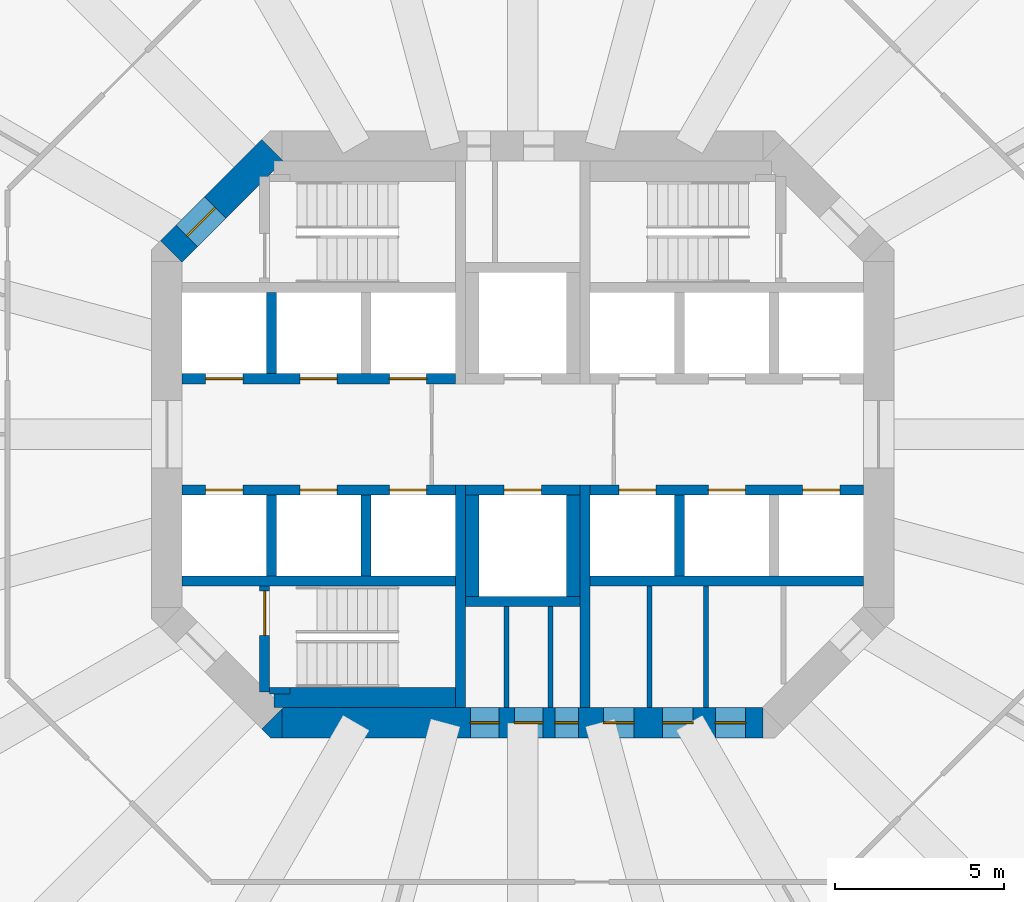
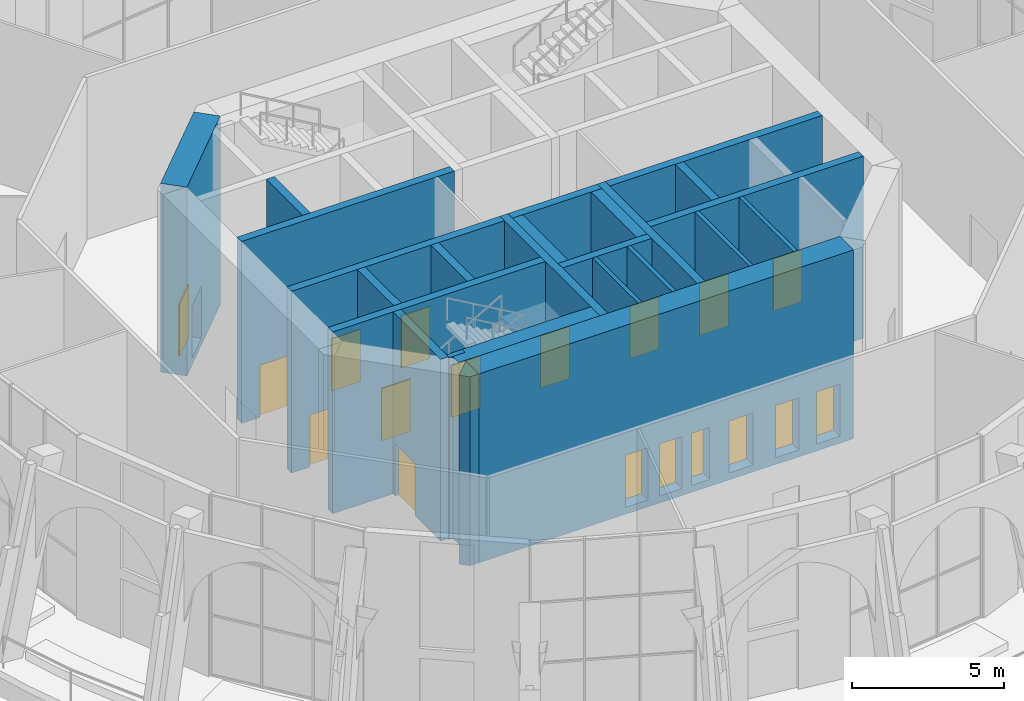
# One storey, part 12 of 18: 25 walls, 18 doors, 18 openings.
"""IFC4 building model written with IfcOpenShell, lengths in metres."""

from ifc_helpers import new_model, si_unit, direction, frame, frame_2d, origin, place, context, subcontext, project, spatial, polyline, rectangle, outline, extrude, material, layer, layer_set, type_object, element, fill, save


model = new_model("IFC4")

# Units and contexts
model_context = context("Model", 3, precision=1e-05, world=origin(), true_north=direction((0.0, 1.0)))
body_context = subcontext(model_context, "Body", "Model", "MODEL_VIEW")
ifc_project = project(units=[si_unit("LENGTHUNIT", "METRE"), si_unit("AREAUNIT", "SQUARE_METRE"), si_unit("VOLUMEUNIT", "CUBIC_METRE"), si_unit("PLANEANGLEUNIT", "RADIAN"), si_unit("MASSUNIT", "GRAM", prefix="KILO")], contexts=[model_context])

# Site, building, storey
site_placement = place(None, origin())
site = spatial("IfcSite", under=ifc_project, at=site_placement, CompositionType="ELEMENT")
building_placement = place(site_placement, origin())
building = spatial("IfcBuilding", under=site, at=building_placement, Name="Torre Triforio", CompositionType="ELEMENT")
storey_placement = place(building_placement, frame((0.0, 0.0, 146.60009765625)))
storey = spatial("IfcBuildingStorey", under=building, at=storey_placement, Name="L33", CompositionType="ELEMENT", Elevation=146.60009765625)

# Walls
ifc_material_1 = material(Name="Concrete C60", Category="concrete")
ifc_layer_1 = layer(ifc_material_1, 0.300048828125)
ifc_layer_set_1 = layer_set([ifc_layer_1], Name="Concrete C60")
wall_type_1 = type_object("IfcWallType", Name="Core wall 300 mm C60 EI 120", PredefinedType="SHEAR", material=ifc_layer_set_1)
for number, where, z_axis, x_axis, name in (
    (1, (-1.85009765625, -8.10009765625, 0.0), (0.0, 0.0, 1.0), (0.0, 1.0, 0.0), "Core wall"),
    (2, (1.85009765625, -8.10009765625, 0.0), (0.0, 0.0, 1.0), (0.0, 1.0, 0.0), "Core wall"),
):
    element("IfcWall", number, at=place(storey_placement, frame(where, z_axis=z_axis, x_axis=x_axis)), inside=storey, type_object=wall_type_1, Name=name, PredefinedType="SHEAR", context=body_context, shape_type="SweptSolid", body=[
        extrude(rectangle(XDim=6.60009765625, YDim=0.300048828125, at=frame_2d((3.300048828125, 0.0))), origin(), (0.0, 0.0, 1.0), 7.31982421875),
    ])

# Wall, openings, doors
ifc_layer_2 = layer(ifc_material_1, 0.89990234375)
ifc_layer_set_2 = layer_set([ifc_layer_2], Name="Concrete C60")
wall_type_2 = type_object("IfcWallType", Name="Core wall 900 mm C60 EI 120", PredefinedType="SHEAR", material=ifc_layer_set_2)
wall_1_placement = place(storey_placement, frame((-7.1298828125, -8.550048828125, -0.280029296875), z_axis=(0.0, 0.0, 1.0), x_axis=(1.0, 0.0, 0.0)))
wall_1 = element("IfcWall", 3, at=wall_1_placement, inside=storey, type_object=wall_type_2, Name="Core wall", PredefinedType="SHEAR", context=body_context, shape_type="SweptSolid", body=[
    extrude(rectangle(XDim=14.259765625, YDim=0.89990234375, at=frame_2d((7.1298828125, 0.0))), origin(), (0.0, 0.0, 1.0), 7.599853515625),
])
opening_1_placement = place(wall_1_placement, frame((8.080078125, 0.0, 0.280029296875)))
opening_1 = element("IfcOpeningElement", 4, at=opening_1_placement, cuts=wall_1, Name="Opening RISER-S", PredefinedType="OPENING", context=body_context, shape_type="SweptSolid", body=[
    extrude(rectangle(XDim=0.699951171875, YDim=2.10009765625, at=frame_2d((0.35009765625, 1.050048828125))), frame((0.0, 0.4599609375, 0.0), z_axis=(0.0, -1.0, 0.0), x_axis=(1.0, 0.0, 0.0)), (0.0, 0.0, 1.0), 0.919921875),
])
opening_2_placement = place(wall_1_placement, frame((5.580078125, 0.0, 0.280029296875)))
opening_2 = element("IfcOpeningElement", 5, at=opening_2_placement, cuts=wall_1, Name="Opening SW-01A", PredefinedType="OPENING", context=body_context, shape_type="SweptSolid", body=[
    extrude(rectangle(XDim=0.85009765625, YDim=2.10009765625, at=frame_2d((0.425048828125, 1.050048828125))), frame((0.0, 0.4599609375, 0.0), z_axis=(0.0, -1.0, 0.0), x_axis=(1.0, 0.0, 0.0)), (0.0, 0.0, 1.0), 0.919921875),
])
opening_3_placement = place(wall_1_placement, frame((6.8798828125, 0.0, 0.280029296875)))
opening_3 = element("IfcOpeningElement", 6, at=opening_3_placement, cuts=wall_1, Name="Opening SW-02", PredefinedType="OPENING", context=body_context, shape_type="SweptSolid", body=[
    extrude(rectangle(XDim=0.85009765625, YDim=2.10009765625, at=frame_2d((0.425048828125, 1.050048828125))), frame((0.0, 0.4599609375, 0.0), z_axis=(0.0, -1.0, 0.0), x_axis=(1.0, 0.0, 0.0)), (0.0, 0.0, 1.0), 0.919921875),
])
opening_4_placement = place(wall_1_placement, frame((9.521484375, 0.0, 0.280029296875)))
opening_4 = element("IfcOpeningElement", 7, at=opening_4_placement, cuts=wall_1, Name="Opening SE-01", PredefinedType="OPENING", context=body_context, shape_type="SweptSolid", body=[
    extrude(rectangle(XDim=0.89990234375, YDim=2.10009765625, at=frame_2d((0.449951171875, 1.050048828125))), frame((0.0, 0.4599609375, 0.0), z_axis=(0.0, -1.0, 0.0), x_axis=(1.0, 0.0, 0.0)), (0.0, 0.0, 1.0), 0.919921875),
])
opening_5_placement = place(wall_1_placement, frame((11.278076171875, 0.0, 0.280029296875)))
opening_5 = element("IfcOpeningElement", 8, at=opening_5_placement, cuts=wall_1, Name="Opening SE-02", PredefinedType="OPENING", context=body_context, shape_type="SweptSolid", body=[
    extrude(rectangle(XDim=0.89990234375, YDim=2.10009765625, at=frame_2d((0.449951171875, 1.050048828125))), frame((0.0, 0.4599609375, 0.0), z_axis=(0.0, -1.0, 0.0), x_axis=(1.0, 0.0, 0.0)), (0.0, 0.0, 1.0), 0.919921875),
])
opening_6_placement = place(wall_1_placement, frame((12.840087890625, 0.0, 0.280029296875)))
opening_6 = element("IfcOpeningElement", 9, at=opening_6_placement, cuts=wall_1, Name="Opening SE-03", PredefinedType="OPENING", context=body_context, shape_type="SweptSolid", body=[
    extrude(rectangle(XDim=0.89990234375, YDim=2.10009765625, at=frame_2d((0.449951171875, 1.050048828125))), frame((0.0, 0.4599609375, 0.0), z_axis=(0.0, -1.0, 0.0), x_axis=(1.0, 0.0, 0.0)), (0.0, 0.0, 1.0), 0.919921875),
])
ifc_material_2 = material(Name="Hollow metal fire door leaf")
door_type_1 = type_object("IfcDoorType", Name="Plant room door 900 x 2100 EI 60", OperationType="NOTDEFINED", PredefinedType="DOOR", material=ifc_material_2)
door_1_placement = place(opening_4_placement, origin())
door_1 = element("IfcDoor", 10, at=door_1_placement, inside=storey, type_object=door_type_1, Name="Core door SE-01", OperationType="SINGLE_SWING_RIGHT", OverallHeight=2.10009765625, OverallWidth=0.89990234375, PredefinedType="DOOR", context=body_context, shape_type="SweptSolid", body=[
    extrude(rectangle(XDim=0.89990234375, YDim=2.10009765625, at=frame_2d((0.449951171875, 1.050048828125))), frame((0.0, 0.02490234375, 0.0), z_axis=(0.0, -1.0, 0.0), x_axis=(1.0, 0.0, 0.0)), (0.0, 0.0, 1.0), 0.050048828125),
])
fill(opening_4, door_1)
door_type_2 = type_object("IfcDoorType", Name="Riser door 700 x 2100 EI 60", OperationType="NOTDEFINED", PredefinedType="DOOR", material=ifc_material_2)
door_2_placement = place(opening_1_placement, origin())
door_2 = element("IfcDoor", 11, at=door_2_placement, inside=storey, type_object=door_type_2, Name="Core door RISER-S", OperationType="SINGLE_SWING_RIGHT", OverallHeight=2.10009765625, OverallWidth=0.699951171875, PredefinedType="DOOR", context=body_context, shape_type="SweptSolid", body=[
    extrude(rectangle(XDim=0.699951171875, YDim=2.10009765625, at=frame_2d((0.35009765625, 1.050048828125))), frame((0.0, 0.02490234375, 0.0), z_axis=(0.0, -1.0, 0.0), x_axis=(1.0, 0.0, 0.0)), (0.0, 0.0, 1.0), 0.050048828125),
])
fill(opening_1, door_2)
door_type_3 = type_object("IfcDoorType", Name="Room door 850 x 2100 EI 60", OperationType="NOTDEFINED", PredefinedType="DOOR", material=ifc_material_2)
door_3_placement = place(opening_2_placement, origin())
door_3 = element("IfcDoor", 12, at=door_3_placement, inside=storey, type_object=door_type_3, Name="Core door SW-01", OperationType="SINGLE_SWING_RIGHT", OverallHeight=2.10009765625, OverallWidth=0.85009765625, PredefinedType="DOOR", context=body_context, shape_type="SweptSolid", body=[
    extrude(rectangle(XDim=0.85009765625, YDim=2.10009765625, at=frame_2d((0.425048828125, 1.050048828125))), frame((0.0, 0.02490234375, 0.0), z_axis=(0.0, -1.0, 0.0), x_axis=(1.0, 0.0, 0.0)), (0.0, 0.0, 1.0), 0.050048828125),
])
fill(opening_2, door_3)
door_4_placement = place(opening_3_placement, origin())
door_4 = element("IfcDoor", 13, at=door_4_placement, inside=storey, type_object=door_type_3, Name="Core door SW-02", OperationType="SINGLE_SWING_RIGHT", OverallHeight=2.10009765625, OverallWidth=0.85009765625, PredefinedType="DOOR", context=body_context, shape_type="SweptSolid", body=[
    extrude(rectangle(XDim=0.85009765625, YDim=2.10009765625, at=frame_2d((0.425048828125, 1.050048828125))), frame((0.0, 0.02490234375, 0.0), z_axis=(0.0, -1.0, 0.0), x_axis=(1.0, 0.0, 0.0)), (0.0, 0.0, 1.0), 0.050048828125),
])
fill(opening_3, door_4)
door_type_4 = type_object("IfcDoorType", Name="Room door 900 x 2100 EI 60", OperationType="NOTDEFINED", PredefinedType="DOOR", material=ifc_material_2)
door_5_placement = place(opening_5_placement, origin())
door_5 = element("IfcDoor", 14, at=door_5_placement, inside=storey, type_object=door_type_4, Name="Core door SE-02", OperationType="SINGLE_SWING_RIGHT", OverallHeight=2.10009765625, OverallWidth=0.89990234375, PredefinedType="DOOR", context=body_context, shape_type="SweptSolid", body=[
    extrude(rectangle(XDim=0.89990234375, YDim=2.10009765625, at=frame_2d((0.449951171875, 1.050048828125))), frame((0.0, 0.02490234375, 0.0), z_axis=(0.0, -1.0, 0.0), x_axis=(1.0, 0.0, 0.0)), (0.0, 0.0, 1.0), 0.050048828125),
])
fill(opening_5, door_5)
door_6_placement = place(opening_6_placement, origin())
door_6 = element("IfcDoor", 15, at=door_6_placement, inside=storey, type_object=door_type_4, Name="Core door SE-03", OperationType="SINGLE_SWING_RIGHT", OverallHeight=2.10009765625, OverallWidth=0.89990234375, PredefinedType="DOOR", context=body_context, shape_type="SweptSolid", body=[
    extrude(rectangle(XDim=0.89990234375, YDim=2.10009765625, at=frame_2d((0.449951171875, 1.050048828125))), frame((0.0, 0.02490234375, 0.0), z_axis=(0.0, -1.0, 0.0), x_axis=(1.0, 0.0, 0.0)), (0.0, 0.0, 1.0), 0.050048828125),
])
fill(opening_6, door_6)

# Wall, opening, door
wall_2_placement = place(storey_placement, frame((-10.418212890625, 5.418212890625, -0.280029296875), z_axis=(0.0, 0.0, 1.0), x_axis=(0.707106781187, 0.707106781187, 0.0)))
wall_2 = element("IfcWall", 16, at=wall_2_placement, inside=storey, type_object=wall_type_2, Name="Core wall", PredefinedType="SHEAR", context=body_context, shape_type="SweptSolid", body=[
    extrude(rectangle(XDim=4.24267578125, YDim=0.89990234375, at=frame_2d((2.121337890625, 0.0))), origin(), (0.0, 0.0, 1.0), 7.599853515625),
])
opening_7_placement = place(wall_2_placement, frame((0.64990234375, 0.0, 0.280029296875)))
opening_7 = element("IfcOpeningElement", 17, at=opening_7_placement, cuts=wall_2, Name="Opening ST1-EXIT", PredefinedType="OPENING", context=body_context, shape_type="SweptSolid", body=[
    extrude(rectangle(XDim=1.199951171875, YDim=2.10009765625, at=frame_2d((0.60009765625, 1.050048828125))), frame((0.0, 0.4599609375, 0.0), z_axis=(0.0, -1.0, 0.0), x_axis=(1.0, 0.0, 0.0)), (0.0, 0.0, 1.0), 0.919921875),
])
door_type_5 = type_object("IfcDoorType", Name="Stair lobby door 1200 x 2100 EI 60", OperationType="NOTDEFINED", PredefinedType="DOOR", material=ifc_material_2)
door_7_placement = place(opening_7_placement, origin())
door_7 = element("IfcDoor", 18, at=door_7_placement, inside=storey, type_object=door_type_5, Name="Core door ST1-EXIT", OperationType="SINGLE_SWING_LEFT", OverallHeight=2.10009765625, OverallWidth=1.199951171875, PredefinedType="DOOR", context=body_context, shape_type="SweptSolid", body=[
    extrude(rectangle(XDim=1.199951171875, YDim=2.10009765625, at=frame_2d((0.60009765625, 1.050048828125))), frame((0.0, 0.02490234375, 0.0), z_axis=(0.0, -1.0, 0.0), x_axis=(1.0, 0.0, 0.0)), (0.0, 0.0, 1.0), 0.050048828125),
])
fill(opening_7, door_7)

# Walls
wall_3_placement = place(storey_placement, frame((0.0, 0.0, -0.280029296875)))
element("IfcWall", 19, at=wall_3_placement, inside=storey, type_object=wall_type_2, Name="Core wall", PredefinedType="SHEAR", context=body_context, shape_type="SweptSolid", body=[
    extrude(outline(polyline([(-7.472900390625, -9.0), (-7.736328125, -8.736328125), (-7.1298828125, -8.1298828125), (-7.1298828125, -9.0), (-7.472900390625, -9.0)])), origin(), (0.0, 0.0, 1.0), 7.599853515625),
])
ifc_material_3 = material(Name="Block and board partition")
ifc_layer_3 = layer(ifc_material_3, 0.14990234375)
ifc_layer_set_3 = layer_set([ifc_layer_3], Name="Block and board partition")
wall_type_3 = type_object("IfcWallType", Name="Partition 150 mm", PredefinedType="PARTITIONING", material=ifc_layer_set_3)
wall_4_placement = place(storey_placement, frame((-0.47509765625, -8.10009765625, 0.0), z_axis=(0.0, 0.0, 1.0), x_axis=(0.0, 1.0, 0.0)))
element("IfcWall", 20, at=wall_4_placement, inside=storey, type_object=wall_type_3, Name="Partition", PredefinedType="PARTITIONING", context=body_context, shape_type="SweptSolid", body=[
    extrude(rectangle(XDim=3.0, YDim=0.14990234375, at=frame_2d((1.5, 0.0))), origin(), (0.0, 0.0, 1.0), 7.31982421875),
])
for number, where, z_axis, x_axis, name in (
    (21, (3.758056640625, -8.10009765625, 0.0), (0.0, 0.0, 1.0), (0.0, 1.0, 0.0), "Partition"),
    (22, (5.43798828125, -8.10009765625, 0.0), (0.0, 0.0, 1.0), (0.0, 1.0, 0.0), "Partition"),
):
    element("IfcWall", number, at=place(storey_placement, frame(where, z_axis=z_axis, x_axis=x_axis)), inside=storey, type_object=wall_type_3, Name=name, PredefinedType="PARTITIONING", context=body_context, shape_type="SweptSolid", body=[
        extrude(rectangle(XDim=3.60009765625, YDim=0.14990234375, at=frame_2d((1.800048828125, 0.0))), origin(), (0.0, 0.0, 1.0), 7.31982421875),
    ])
ifc_layer_4 = layer(ifc_material_3, 0.14990234375)
ifc_layer_set_4 = layer_set([ifc_layer_4], Name="Block and board partition")
wall_type_4 = type_object("IfcWallType", Name="Partition 150 mm EI 120", PredefinedType="PARTITIONING", material=ifc_layer_set_4)
wall_5_placement = place(storey_placement, frame((0.824951171875, -8.10009765625, 0.0), z_axis=(0.0, 0.0, 1.0), x_axis=(0.0, 1.0, 0.0)))
element("IfcWall", 23, at=wall_5_placement, inside=storey, type_object=wall_type_4, Name="Partition", PredefinedType="PARTITIONING", context=body_context, shape_type="SweptSolid", body=[
    extrude(rectangle(XDim=3.0, YDim=0.14990234375, at=frame_2d((1.5, 0.0))), origin(), (0.0, 0.0, 1.0), 7.31982421875),
])
ifc_layer_5 = layer(ifc_material_1, 0.300048828125)
ifc_layer_set_5 = layer_set([ifc_layer_5], Name="Concrete C60")
wall_type_5 = type_object("IfcWallType", Name="Shaft wall 300 mm C60 EI 120", PredefinedType="SOLIDWALL", material=ifc_layer_set_5)
for number, where, z_axis, x_axis, name in (
    (24, (-10.10009765625, -4.35009765625, 0.0), (0.0, 0.0, 1.0), (1.0, 0.0, 0.0), "Shaft wall"),
    (25, (2.0, -4.35009765625, 0.0), (0.0, 0.0, 1.0), (1.0, 0.0, 0.0), "Shaft wall"),
):
    element("IfcWall", number, at=place(storey_placement, frame(where, z_axis=z_axis, x_axis=x_axis)), inside=storey, type_object=wall_type_5, Name=name, PredefinedType="SOLIDWALL", context=body_context, shape_type="SweptSolid", body=[
        extrude(rectangle(XDim=8.10009765625, YDim=0.300048828125, at=frame_2d((4.050048828125, 0.0))), origin(), (0.0, 0.0, 1.0), 7.31982421875),
    ])

# Wall, openings, doors
wall_6_placement = place(storey_placement, frame((-10.10009765625, 1.64990234375, 0.0), z_axis=(0.0, 0.0, 1.0), x_axis=(1.0, 0.0, 0.0)))
wall_6 = element("IfcWall", 26, at=wall_6_placement, inside=storey, type_object=wall_type_5, Name="Shaft wall", PredefinedType="SOLIDWALL", context=body_context, shape_type="SweptSolid", body=[
    extrude(rectangle(XDim=8.10009765625, YDim=0.300048828125, at=frame_2d((4.050048828125, 0.0))), origin(), (0.0, 0.0, 1.0), 7.31982421875),
])
opening_8_placement = place(wall_6_placement, frame((0.699951171875, 0.0, 0.0)))
opening_8 = element("IfcOpeningElement", 27, at=opening_8_placement, cuts=wall_6, Name="Opening LD", PredefinedType="OPENING", context=body_context, shape_type="SweptSolid", body=[
    extrude(rectangle(XDim=1.10009765625, YDim=2.10009765625, at=frame_2d((0.550048828125, 1.050048828125))), frame((0.0, 0.159912109375, 0.0), z_axis=(0.0, -1.0, 0.0), x_axis=(1.0, 0.0, 0.0)), (0.0, 0.0, 1.0), 0.320068359375),
])
opening_9_placement = place(wall_6_placement, frame((3.5, 0.0, 0.0)))
opening_9 = element("IfcOpeningElement", 28, at=opening_9_placement, cuts=wall_6, Name="Opening LD", PredefinedType="OPENING", context=body_context, shape_type="SweptSolid", body=[
    extrude(rectangle(XDim=1.10009765625, YDim=2.10009765625, at=frame_2d((0.550048828125, 1.050048828125))), frame((0.0, 0.159912109375, 0.0), z_axis=(0.0, -1.0, 0.0), x_axis=(1.0, 0.0, 0.0)), (0.0, 0.0, 1.0), 0.320068359375),
])
opening_10_placement = place(wall_6_placement, frame((6.14990234375, 0.0, 0.0)))
opening_10 = element("IfcOpeningElement", 29, at=opening_10_placement, cuts=wall_6, Name="Opening LD", PredefinedType="OPENING", context=body_context, shape_type="SweptSolid", body=[
    extrude(rectangle(XDim=1.10009765625, YDim=2.10009765625, at=frame_2d((0.550048828125, 1.050048828125))), frame((0.0, 0.159912109375, 0.0), z_axis=(0.0, -1.0, 0.0), x_axis=(1.0, 0.0, 0.0)), (0.0, 0.0, 1.0), 0.320068359375),
])
door_type_6 = type_object("IfcDoorType", Name="Landing door 1100 x 2100 EI 60", OperationType="DOUBLE_DOOR_SLIDING", PredefinedType="DOOR", material=ifc_material_2)
door_8_placement = place(opening_8_placement, origin())
door_8 = element("IfcDoor", 30, at=door_8_placement, inside=storey, type_object=door_type_6, Name="Landing door LR1", OperationType="DOUBLE_DOOR_SLIDING", OverallHeight=2.10009765625, OverallWidth=1.10009765625, PredefinedType="DOOR", context=body_context, shape_type="SweptSolid", body=[
    extrude(rectangle(XDim=1.10009765625, YDim=2.10009765625, at=frame_2d((0.550048828125, 1.050048828125))), frame((0.0, 0.02490234375, 0.0), z_axis=(0.0, -1.0, 0.0), x_axis=(1.0, 0.0, 0.0)), (0.0, 0.0, 1.0), 0.050048828125),
])
fill(opening_8, door_8)
door_9_placement = place(opening_9_placement, origin())
door_9 = element("IfcDoor", 31, at=door_9_placement, inside=storey, type_object=door_type_6, Name="Landing door LR2", OperationType="DOUBLE_DOOR_SLIDING", OverallHeight=2.10009765625, OverallWidth=1.10009765625, PredefinedType="DOOR", context=body_context, shape_type="SweptSolid", body=[
    extrude(rectangle(XDim=1.10009765625, YDim=2.10009765625, at=frame_2d((0.550048828125, 1.050048828125))), frame((0.0, 0.02490234375, 0.0), z_axis=(0.0, -1.0, 0.0), x_axis=(1.0, 0.0, 0.0)), (0.0, 0.0, 1.0), 0.050048828125),
])
fill(opening_9, door_9)
door_10_placement = place(opening_10_placement, origin())
door_10 = element("IfcDoor", 32, at=door_10_placement, inside=storey, type_object=door_type_6, Name="Landing door LR3", OperationType="DOUBLE_DOOR_SLIDING", OverallHeight=2.10009765625, OverallWidth=1.10009765625, PredefinedType="DOOR", context=body_context, shape_type="SweptSolid", body=[
    extrude(rectangle(XDim=1.10009765625, YDim=2.10009765625, at=frame_2d((0.550048828125, 1.050048828125))), frame((0.0, 0.02490234375, 0.0), z_axis=(0.0, -1.0, 0.0), x_axis=(1.0, 0.0, 0.0)), (0.0, 0.0, 1.0), 0.050048828125),
])
fill(opening_10, door_10)

wall_7_placement = place(storey_placement, frame((-10.10009765625, -1.64990234375, 0.0), z_axis=(0.0, 0.0, 1.0), x_axis=(1.0, 0.0, 0.0)))
wall_7 = element("IfcWall", 33, at=wall_7_placement, inside=storey, type_object=wall_type_5, Name="Shaft wall", PredefinedType="SOLIDWALL", context=body_context, shape_type="SweptSolid", body=[
    extrude(rectangle(XDim=8.10009765625, YDim=0.300048828125, at=frame_2d((4.050048828125, 0.0))), origin(), (0.0, 0.0, 1.0), 7.31982421875),
])
opening_11_placement = place(wall_7_placement, frame((0.699951171875, 0.0, 0.0)))
opening_11 = element("IfcOpeningElement", 34, at=opening_11_placement, cuts=wall_7, Name="Opening LD", PredefinedType="OPENING", context=body_context, shape_type="SweptSolid", body=[
    extrude(rectangle(XDim=1.10009765625, YDim=2.10009765625, at=frame_2d((0.550048828125, 1.050048828125))), frame((0.0, 0.159912109375, 0.0), z_axis=(0.0, -1.0, 0.0), x_axis=(1.0, 0.0, 0.0)), (0.0, 0.0, 1.0), 0.320068359375),
])
opening_12_placement = place(wall_7_placement, frame((3.5, 0.0, 0.0)))
opening_12 = element("IfcOpeningElement", 35, at=opening_12_placement, cuts=wall_7, Name="Opening LD", PredefinedType="OPENING", context=body_context, shape_type="SweptSolid", body=[
    extrude(rectangle(XDim=1.10009765625, YDim=2.10009765625, at=frame_2d((0.550048828125, 1.050048828125))), frame((0.0, 0.159912109375, 0.0), z_axis=(0.0, -1.0, 0.0), x_axis=(1.0, 0.0, 0.0)), (0.0, 0.0, 1.0), 0.320068359375),
])
opening_13_placement = place(wall_7_placement, frame((6.14990234375, 0.0, 0.0)))
opening_13 = element("IfcOpeningElement", 36, at=opening_13_placement, cuts=wall_7, Name="Opening LD", PredefinedType="OPENING", context=body_context, shape_type="SweptSolid", body=[
    extrude(rectangle(XDim=1.10009765625, YDim=2.10009765625, at=frame_2d((0.550048828125, 1.050048828125))), frame((0.0, 0.159912109375, 0.0), z_axis=(0.0, -1.0, 0.0), x_axis=(1.0, 0.0, 0.0)), (0.0, 0.0, 1.0), 0.320068359375),
])
door_11_placement = place(opening_11_placement, origin())
door_11 = element("IfcDoor", 37, at=door_11_placement, inside=storey, type_object=door_type_6, Name="Landing door LR4", OperationType="DOUBLE_DOOR_SLIDING", OverallHeight=2.10009765625, OverallWidth=1.10009765625, PredefinedType="DOOR", context=body_context, shape_type="SweptSolid", body=[
    extrude(rectangle(XDim=1.10009765625, YDim=2.10009765625, at=frame_2d((0.550048828125, 1.050048828125))), frame((0.0, 0.02490234375, 0.0), z_axis=(0.0, -1.0, 0.0), x_axis=(1.0, 0.0, 0.0)), (0.0, 0.0, 1.0), 0.050048828125),
])
fill(opening_11, door_11)
door_12_placement = place(opening_12_placement, origin())
door_12 = element("IfcDoor", 38, at=door_12_placement, inside=storey, type_object=door_type_6, Name="Landing door LR5", OperationType="DOUBLE_DOOR_SLIDING", OverallHeight=2.10009765625, OverallWidth=1.10009765625, PredefinedType="DOOR", context=body_context, shape_type="SweptSolid", body=[
    extrude(rectangle(XDim=1.10009765625, YDim=2.10009765625, at=frame_2d((0.550048828125, 1.050048828125))), frame((0.0, 0.02490234375, 0.0), z_axis=(0.0, -1.0, 0.0), x_axis=(1.0, 0.0, 0.0)), (0.0, 0.0, 1.0), 0.050048828125),
])
fill(opening_12, door_12)
door_13_placement = place(opening_13_placement, origin())
door_13 = element("IfcDoor", 39, at=door_13_placement, inside=storey, type_object=door_type_6, Name="Landing door LR6", OperationType="DOUBLE_DOOR_SLIDING", OverallHeight=2.10009765625, OverallWidth=1.10009765625, PredefinedType="DOOR", context=body_context, shape_type="SweptSolid", body=[
    extrude(rectangle(XDim=1.10009765625, YDim=2.10009765625, at=frame_2d((0.550048828125, 1.050048828125))), frame((0.0, 0.02490234375, 0.0), z_axis=(0.0, -1.0, 0.0), x_axis=(1.0, 0.0, 0.0)), (0.0, 0.0, 1.0), 0.050048828125),
])
fill(opening_13, door_13)

wall_8_placement = place(storey_placement, frame((2.0, -1.64990234375, 0.0), z_axis=(0.0, 0.0, 1.0), x_axis=(1.0, 0.0, 0.0)))
wall_8 = element("IfcWall", 40, at=wall_8_placement, inside=storey, type_object=wall_type_5, Name="Shaft wall", PredefinedType="SOLIDWALL", context=body_context, shape_type="SweptSolid", body=[
    extrude(rectangle(XDim=8.10009765625, YDim=0.300048828125, at=frame_2d((4.050048828125, 0.0))), origin(), (0.0, 0.0, 1.0), 7.31982421875),
])
opening_14_placement = place(wall_8_placement, frame((0.85009765625, 0.0, 0.0)))
opening_14 = element("IfcOpeningElement", 41, at=opening_14_placement, cuts=wall_8, Name="Opening LD", PredefinedType="OPENING", context=body_context, shape_type="SweptSolid", body=[
    extrude(rectangle(XDim=1.10009765625, YDim=2.10009765625, at=frame_2d((0.550048828125, 1.050048828125))), frame((0.0, 0.159912109375, 0.0), z_axis=(0.0, -1.0, 0.0), x_axis=(1.0, 0.0, 0.0)), (0.0, 0.0, 1.0), 0.320068359375),
])
opening_15_placement = place(wall_8_placement, frame((3.5, 0.0, 0.0)))
opening_15 = element("IfcOpeningElement", 42, at=opening_15_placement, cuts=wall_8, Name="Opening LD", PredefinedType="OPENING", context=body_context, shape_type="SweptSolid", body=[
    extrude(rectangle(XDim=1.10009765625, YDim=2.10009765625, at=frame_2d((0.550048828125, 1.050048828125))), frame((0.0, 0.159912109375, 0.0), z_axis=(0.0, -1.0, 0.0), x_axis=(1.0, 0.0, 0.0)), (0.0, 0.0, 1.0), 0.320068359375),
])
opening_16_placement = place(wall_8_placement, frame((6.300048828125, 0.0, 0.0)))
opening_16 = element("IfcOpeningElement", 43, at=opening_16_placement, cuts=wall_8, Name="Opening LD", PredefinedType="OPENING", context=body_context, shape_type="SweptSolid", body=[
    extrude(rectangle(XDim=1.10009765625, YDim=2.10009765625, at=frame_2d((0.550048828125, 1.050048828125))), frame((0.0, 0.159912109375, 0.0), z_axis=(0.0, -1.0, 0.0), x_axis=(1.0, 0.0, 0.0)), (0.0, 0.0, 1.0), 0.320068359375),
])
door_14_placement = place(opening_14_placement, origin())
door_14 = element("IfcDoor", 44, at=door_14_placement, inside=storey, type_object=door_type_6, Name="Landing door HR4", OperationType="DOUBLE_DOOR_SLIDING", OverallHeight=2.10009765625, OverallWidth=1.10009765625, PredefinedType="DOOR", context=body_context, shape_type="SweptSolid", body=[
    extrude(rectangle(XDim=1.10009765625, YDim=2.10009765625, at=frame_2d((0.550048828125, 1.050048828125))), frame((0.0, 0.02490234375, 0.0), z_axis=(0.0, -1.0, 0.0), x_axis=(1.0, 0.0, 0.0)), (0.0, 0.0, 1.0), 0.050048828125),
])
fill(opening_14, door_14)
door_15_placement = place(opening_15_placement, origin())
door_15 = element("IfcDoor", 45, at=door_15_placement, inside=storey, type_object=door_type_6, Name="Landing door HR5", OperationType="DOUBLE_DOOR_SLIDING", OverallHeight=2.10009765625, OverallWidth=1.10009765625, PredefinedType="DOOR", context=body_context, shape_type="SweptSolid", body=[
    extrude(rectangle(XDim=1.10009765625, YDim=2.10009765625, at=frame_2d((0.550048828125, 1.050048828125))), frame((0.0, 0.02490234375, 0.0), z_axis=(0.0, -1.0, 0.0), x_axis=(1.0, 0.0, 0.0)), (0.0, 0.0, 1.0), 0.050048828125),
])
fill(opening_15, door_15)
door_16_placement = place(opening_16_placement, origin())
door_16 = element("IfcDoor", 46, at=door_16_placement, inside=storey, type_object=door_type_6, Name="Landing door HR6", OperationType="DOUBLE_DOOR_SLIDING", OverallHeight=2.10009765625, OverallWidth=1.10009765625, PredefinedType="DOOR", context=body_context, shape_type="SweptSolid", body=[
    extrude(rectangle(XDim=1.10009765625, YDim=2.10009765625, at=frame_2d((0.550048828125, 1.050048828125))), frame((0.0, 0.02490234375, 0.0), z_axis=(0.0, -1.0, 0.0), x_axis=(1.0, 0.0, 0.0)), (0.0, 0.0, 1.0), 0.050048828125),
])
fill(opening_16, door_16)

# Walls
for number, where, z_axis, x_axis, name in (
    (47, (-7.449951171875, 1.800048828125, 0.0), (0.0, 0.0, 1.0), (0.0, 1.0, 0.0), "Shaft wall"),
    (48, (-7.449951171875, -4.199951171875, 0.0), (0.0, 0.0, 1.0), (0.0, 1.0, 0.0), "Shaft wall"),
    (49, (-4.64990234375, -4.199951171875, 0.0), (0.0, 0.0, 1.0), (0.0, 1.0, 0.0), "Shaft wall"),
    (50, (4.64990234375, -4.199951171875, 0.0), (0.0, 0.0, 1.0), (0.0, 1.0, 0.0), "Shaft wall"),
):
    element("IfcWall", number, at=place(storey_placement, frame(where, z_axis=z_axis, x_axis=x_axis)), inside=storey, type_object=wall_type_5, Name=name, PredefinedType="SOLIDWALL", context=body_context, shape_type="SweptSolid", body=[
        extrude(rectangle(XDim=2.39990234375, YDim=0.300048828125, at=frame_2d((1.199951171875, 0.0))), origin(), (0.0, 0.0, 1.0), 7.31982421875),
    ])

# Wall, opening, door
wall_9_placement = place(storey_placement, frame((-1.699951171875, -1.64990234375, 0.0), z_axis=(0.0, 0.0, 1.0), x_axis=(1.0, 0.0, 0.0)))
wall_9 = element("IfcWall", 51, at=wall_9_placement, inside=storey, type_object=wall_type_5, Name="Shaft wall", PredefinedType="SOLIDWALL", context=body_context, shape_type="SweptSolid", body=[
    extrude(rectangle(XDim=3.39990234375, YDim=0.300048828125, at=frame_2d((1.699951171875, 0.0))), origin(), (0.0, 0.0, 1.0), 7.31982421875),
])
opening_17_placement = place(wall_9_placement, frame((1.14990234375, 0.0, 0.0)))
opening_17 = element("IfcOpeningElement", 52, at=opening_17_placement, cuts=wall_9, Name="Opening LD", PredefinedType="OPENING", context=body_context, shape_type="SweptSolid", body=[
    extrude(rectangle(XDim=1.10009765625, YDim=2.10009765625, at=frame_2d((0.550048828125, 1.050048828125))), frame((0.0, 0.159912109375, 0.0), z_axis=(0.0, -1.0, 0.0), x_axis=(1.0, 0.0, 0.0)), (0.0, 0.0, 1.0), 0.320068359375),
])
door_17_placement = place(opening_17_placement, origin())
door_17 = element("IfcDoor", 53, at=door_17_placement, inside=storey, type_object=door_type_6, Name="Landing door FFL2", OperationType="DOUBLE_DOOR_SLIDING", OverallHeight=2.10009765625, OverallWidth=1.10009765625, PredefinedType="DOOR", context=body_context, shape_type="SweptSolid", body=[
    extrude(rectangle(XDim=1.10009765625, YDim=2.10009765625, at=frame_2d((0.550048828125, 1.050048828125))), frame((0.0, 0.02490234375, 0.0), z_axis=(0.0, -1.0, 0.0), x_axis=(1.0, 0.0, 0.0)), (0.0, 0.0, 1.0), 0.050048828125),
])
fill(opening_17, door_17)

# Walls
wall_10_placement = place(storey_placement, frame((-1.699951171875, -4.949951171875, 0.0), z_axis=(0.0, 0.0, 1.0), x_axis=(1.0, 0.0, 0.0)))
element("IfcWall", 54, at=wall_10_placement, inside=storey, type_object=wall_type_5, Name="Shaft wall", PredefinedType="SOLIDWALL", context=body_context, shape_type="SweptSolid", body=[
    extrude(rectangle(XDim=3.39990234375, YDim=0.300048828125, at=frame_2d((1.699951171875, 0.0))), origin(), (0.0, 0.0, 1.0), 7.31982421875),
])
ifc_layer_6 = layer(ifc_material_1, 0.39990234375)
ifc_layer_set_6 = layer_set([ifc_layer_6], Name="Concrete C60")
wall_type_6 = type_object("IfcWallType", Name="Shaft wall 400 mm C60 EI 120", PredefinedType="SOLIDWALL", material=ifc_layer_set_6)
for number, where, z_axis, x_axis, name in (
    (55, (-1.5, -4.800048828125, 0.0), (0.0, 0.0, 1.0), (0.0, 1.0, 0.0), "Shaft wall"),
    (56, (1.5, -4.800048828125, 0.0), (0.0, 0.0, 1.0), (0.0, 1.0, 0.0), "Shaft wall"),
):
    element("IfcWall", number, at=place(storey_placement, frame(where, z_axis=z_axis, x_axis=x_axis)), inside=storey, type_object=wall_type_6, Name=name, PredefinedType="SOLIDWALL", context=body_context, shape_type="SweptSolid", body=[
        extrude(rectangle(XDim=3.0, YDim=0.39990234375, at=frame_2d((1.5, 0.0))), origin(), (0.0, 0.0, 1.0), 7.31982421875),
    ])
ifc_layer_7 = layer(ifc_material_1, 0.199951171875)
ifc_layer_set_7 = layer_set([ifc_layer_7], Name="Concrete C60")
wall_type_7 = type_object("IfcWallType", Name="Stair wall 200 mm C60 EI 120", PredefinedType="SHEAR", material=ifc_layer_set_7)
wall_11_placement = place(storey_placement, frame((-7.5, -7.60009765625, 0.0), z_axis=(0.0, 0.0, 1.0), x_axis=(1.0, 0.0, 0.0)))
element("IfcWall", 57, at=wall_11_placement, inside=storey, type_object=wall_type_7, Name="Stair wall", PredefinedType="SHEAR", context=body_context, shape_type="SweptSolid", body=[
    extrude(rectangle(XDim=0.60009765625, YDim=0.199951171875, at=frame_2d((0.300048828125, 0.0))), origin(), (0.0, 0.0, 1.0), 7.31982421875),
])

# Wall, opening, door
ifc_layer_8 = layer(ifc_material_1, 0.300048828125)
ifc_layer_set_8 = layer_set([ifc_layer_8], Name="Concrete C60")
wall_type_8 = type_object("IfcWallType", Name="Stair wall 300 mm C60 EI 120", PredefinedType="SHEAR", material=ifc_layer_set_8)
wall_12_placement = place(storey_placement, frame((-7.64990234375, -7.639892578125, 0.0), z_axis=(0.0, 0.0, 1.0), x_axis=(0.0, 1.0, 0.0)))
wall_12 = element("IfcWall", 58, at=wall_12_placement, inside=storey, type_object=wall_type_8, Name="Stair wall", PredefinedType="SHEAR", context=body_context, shape_type="SweptSolid", body=[
    extrude(rectangle(XDim=3.139892578125, YDim=0.300048828125, at=frame_2d((1.56982421875, 0.0))), origin(), (0.0, 0.0, 1.0), 7.31982421875),
])
opening_18_placement = place(wall_12_placement, frame((1.679931640625, 0.0, 0.0)))
opening_18 = element("IfcOpeningElement", 59, at=opening_18_placement, cuts=wall_12, Name="Opening ST3-STA", PredefinedType="OPENING", context=body_context, shape_type="SweptSolid", body=[
    extrude(rectangle(XDim=1.320068359375, YDim=2.10009765625, at=frame_2d((0.66015625, 1.050048828125))), frame((0.0, 0.159912109375, 0.0), z_axis=(0.0, -1.0, 0.0), x_axis=(1.0, 0.0, 0.0)), (0.0, 0.0, 1.0), 0.320068359375),
])
door_type_7 = type_object("IfcDoorType", Name="Stair door 1320 x 2100 EI 90", OperationType="DOUBLE_DOOR_SINGLE_SWING", PredefinedType="DOOR", material=ifc_material_2)
door_18_placement = place(opening_18_placement, origin())
door_18 = element("IfcDoor", 60, at=door_18_placement, inside=storey, type_object=door_type_7, Name="Core door ST3-ST", OperationType="DOUBLE_DOOR_SINGLE_SWING", OverallHeight=2.10009765625, OverallWidth=1.320068359375, PredefinedType="DOOR", context=body_context, shape_type="SweptSolid", body=[
    extrude(rectangle(XDim=1.320068359375, YDim=2.10009765625, at=frame_2d((0.66015625, 1.050048828125))), frame((0.0, 0.02490234375, 0.0), z_axis=(0.0, -1.0, 0.0), x_axis=(1.0, 0.0, 0.0)), (0.0, 0.0, 1.0), 0.050048828125),
])
fill(opening_18, door_18)

# Wall
ifc_layer_9 = layer(ifc_material_1, 0.60009765625)
ifc_layer_set_9 = layer_set([ifc_layer_9], Name="Concrete C60")
wall_type_9 = type_object("IfcWallType", Name="Stair wall 600 mm C60 EI 120", PredefinedType="SHEAR", material=ifc_layer_set_9)
wall_13_placement = place(storey_placement, frame((-7.3701171875, -7.800048828125, 0.0), z_axis=(0.0, 0.0, 1.0), x_axis=(1.0, 0.0, 0.0)))
element("IfcWall", 61, at=wall_13_placement, inside=storey, type_object=wall_type_9, Name="Stair wall", PredefinedType="SHEAR", context=body_context, shape_type="SweptSolid", body=[
    extrude(rectangle(XDim=5.3701171875, YDim=0.60009765625, at=frame_2d((2.68505859375, 0.0))), origin(), (0.0, 0.0, 1.0), 7.31982421875),
])

save(model, "model.ifc")
